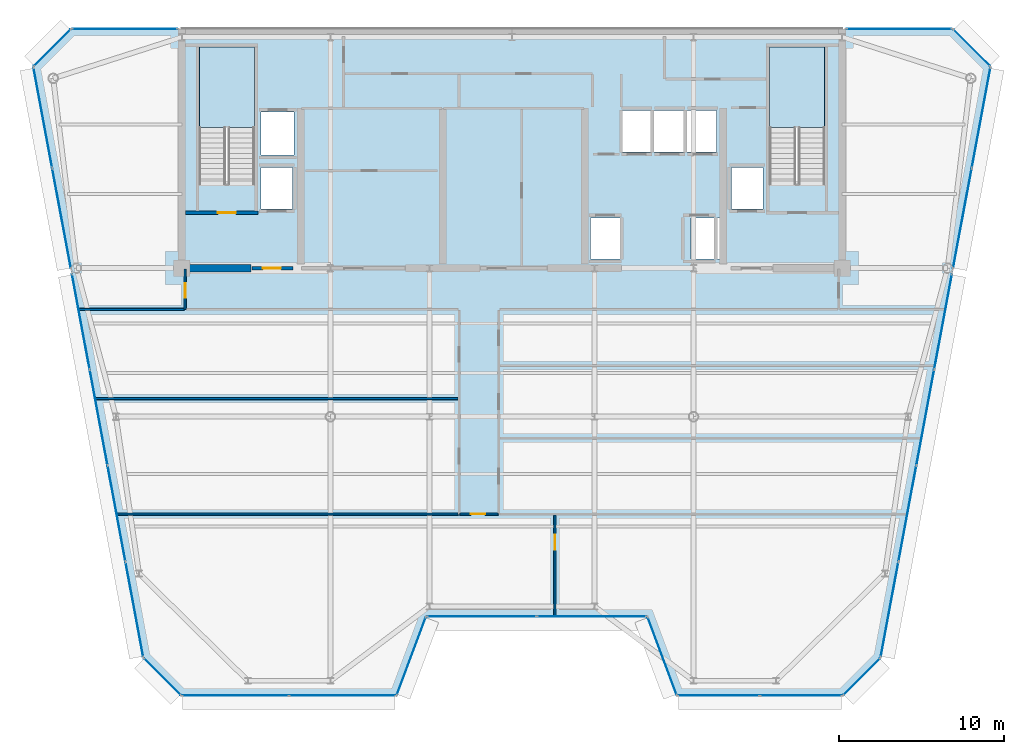
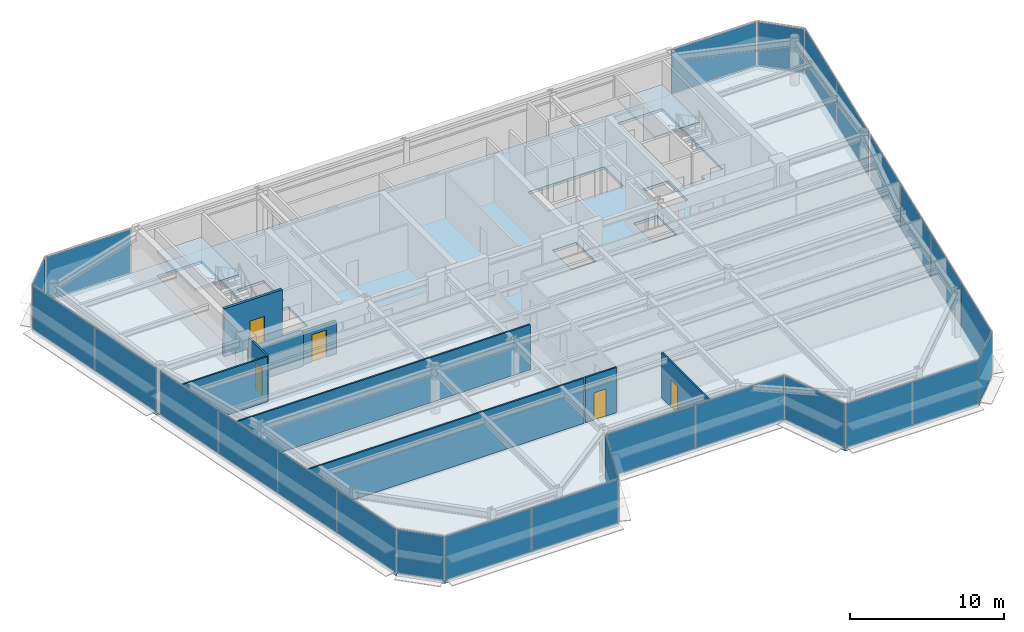
# One storey, part 9 of 18: 26 plates, 9 walls, 5 doors, 3 slabs, 5 openings, 17 elements without a shape of their own.
"""IFC4 building model written with IfcOpenShell, lengths in metres."""

from ifc_helpers import new_model, si_unit, direction, frame, frame_2d, origin, origin_2d, place, context, subcontext, project, spatial, polyline, rectangle, outline, extrude, source, transform, mapped, material, layer, layer_set, type_object, element, fill, aggregate, save


model = new_model("IFC4")

# Units and contexts
model_context = context("Model", 3, precision=1e-05, world=origin(), true_north=direction((0.0, 1.0)))
body_context = subcontext(model_context, "Body", "Model", "MODEL_VIEW")
ifc_project = project(units=[si_unit("LENGTHUNIT", "METRE"), si_unit("AREAUNIT", "SQUARE_METRE"), si_unit("VOLUMEUNIT", "CUBIC_METRE"), si_unit("PLANEANGLEUNIT", "RADIAN"), si_unit("MASSUNIT", "GRAM", prefix="KILO")], contexts=[model_context])

# Site, building, storey
site_placement = place(None, origin())
site = spatial("IfcSite", under=ifc_project, at=site_placement, CompositionType="ELEMENT")
building_placement = place(site_placement, origin())
building = spatial("IfcBuilding", under=site, at=building_placement, Name="Vaeldorn Concourse Tower", CompositionType="ELEMENT")
storey_placement = place(building_placement, frame((0.0, 0.0, 261.199951171875)))
storey = spatial("IfcBuildingStorey", under=building, at=storey_placement, Name="L67", CompositionType="ELEMENT", Elevation=261.199951171875)

# Stair, slab
ifc_material_1 = material(Name="Precast concrete C40/50", Category="concrete")
stair_type = type_object("IfcStairType", Name="STR-DOG-24x158", PredefinedType="HALF_TURN_STAIR", material=ifc_material_1)
stair_1_placement = place(storey_placement, origin())
stair_1 = element("IfcStair", 1, at=stair_1_placement, inside=storey, type_object=stair_type, Name="L67 West Core Exit Stair ST-1", PredefinedType="HALF_TURN_STAIR")
ifc_material_2 = material(Name="Concrete C40/50", Category="concrete")
ifc_layer_1 = layer(ifc_material_2, 0.199951171875)
ifc_layer_set_1 = layer_set([ifc_layer_1], Name="Concrete C40/50")
slab_type_1 = type_object("IfcSlabType", Name="SL-STAIR-LANDING", PredefinedType="LANDING", material=ifc_layer_set_1)
slab_1_placement = place(storey_placement, frame((0.0, 0.0, 1.699951171875)))
slab_1 = element("IfcSlab", 2, at=slab_1_placement, type_object=slab_type_1, Name="ST-1 landing 1", PredefinedType="LANDING", context=body_context, shape_type="SweptSolid", body=[
    extrude(outline(polyline([(18.39990234375, 45.010009765625), (18.39990234375, 49.89990234375), (15.050048828125, 49.89990234375), (15.050048828125, 45.010009765625), (18.39990234375, 45.010009765625)])), origin(), (0.0, 0.0, 1.0), 0.2001953125),
])
aggregate(stair_1, [slab_1])

stair_2_placement = place(storey_placement, origin())
stair_2 = element("IfcStair", 3, at=stair_2_placement, inside=storey, type_object=stair_type, Name="L67 East Core Exit Stair ST-2", PredefinedType="HALF_TURN_STAIR")
slab_2_placement = place(storey_placement, frame((0.0, 0.0, 1.699951171875)))
slab_2 = element("IfcSlab", 4, at=slab_2_placement, type_object=slab_type_1, Name="ST-2 landing 1", PredefinedType="LANDING", context=body_context, shape_type="SweptSolid", body=[
    extrude(outline(polyline([(52.949951171875, 45.010009765625), (52.949951171875, 49.89990234375), (49.60009765625, 49.89990234375), (49.60009765625, 45.010009765625), (52.949951171875, 45.010009765625)])), origin(), (0.0, 0.0, 1.0), 0.2001953125),
])
aggregate(stair_2, [slab_2])

# Slab
ifc_layer_2 = layer(ifc_material_2, 0.219970703125)
ifc_layer_set_2 = layer_set([ifc_layer_2], Name="Concrete C40/50")
slab_type_2 = type_object("IfcSlabType", Name="SL-TYP-220", PredefinedType="FLOOR", material=ifc_layer_set_2)
slab_3_placement = place(storey_placement, frame((0.0, 0.0, -0.219970703125)))
element("IfcSlab", 5, at=slab_3_placement, inside=storey, type_object=slab_type_2, Name="Structural Floor Slab L67", PredefinedType="FLOOR", context=body_context, shape_type="SweptSolid", body=[
    extrude(outline(polyline([(13.966064453125, 10.60009765625), (27.0, 10.60009765625), (28.800048828125, 15.39990234375), (42.199951171875, 15.39990234375), (44.0, 10.60009765625), (54.033935546875, 10.60009765625), (56.333984375, 12.89990234375), (63.0, 48.699951171875), (60.699951171875, 51.0), (7.300048828125, 51.0), (5.0, 48.699951171875), (11.666015625, 12.89990234375), (13.966064453125, 10.60009765625)]), holes=[polyline([(18.39990234375, 42.0), (18.39990234375, 49.89990234375), (15.050048828125, 49.89990234375), (15.050048828125, 41.60009765625), (16.800048828125, 41.60009765625), (16.800048828125, 42.0), (18.39990234375, 42.0)]), polyline([(52.949951171875, 42.0), (52.949951171875, 49.89990234375), (49.60009765625, 49.89990234375), (49.60009765625, 41.60009765625), (51.35009765625, 41.60009765625), (51.35009765625, 42.0), (52.949951171875, 42.0)]), polyline([(38.75, 37.050048828125), (40.550048828125, 37.050048828125), (40.550048828125, 39.550048828125), (38.75, 39.550048828125), (38.75, 37.050048828125)]), polyline([(44.85009765625, 37.050048828125), (46.64990234375, 37.050048828125), (46.64990234375, 39.550048828125), (44.85009765625, 39.550048828125), (44.85009765625, 37.050048828125)]), polyline([(40.699951171875, 43.550048828125), (46.39990234375, 43.550048828125), (46.39990234375, 46.050048828125), (40.699951171875, 46.050048828125), (40.699951171875, 43.550048828125)]), polyline([(18.800048828125, 43.35009765625), (20.800048828125, 43.35009765625), (20.800048828125, 45.949951171875), (18.800048828125, 45.949951171875), (18.800048828125, 43.35009765625)]), polyline([(18.800048828125, 40.10009765625), (20.699951171875, 40.10009765625), (20.699951171875, 42.60009765625), (18.800048828125, 42.60009765625), (18.800048828125, 40.10009765625)]), polyline([(47.300048828125, 40.10009765625), (49.199951171875, 40.10009765625), (49.199951171875, 42.60009765625), (47.300048828125, 42.60009765625), (47.300048828125, 40.10009765625)])]), origin(), (0.0, 0.0, 1.0), 0.219970703125),
])

# Curtain wall, plate
ifc_material_3 = material(Name="Anodised Bronze Aluminium", Category="aluminium")
ifc_layer_3 = layer(ifc_material_3, 0.179931640625)
ifc_layer_set_3 = layer_set([ifc_layer_3], Name="Anodised Bronze Aluminium")
curtain_wall_type = type_object("IfcCurtainWallType", Name="CW-SYS-05", PredefinedType="NOTDEFINED", material=ifc_layer_set_3)
curtain_wall_1_placement = place(storey_placement, origin())
curtain_wall_1 = element("IfcCurtainWall", 6, at=curtain_wall_1_placement, inside=storey, type_object=curtain_wall_type, Name="Unitised Curtain Wall CW-L67-E02-1", PredefinedType="NOTDEFINED")
ifc_material_4 = material(Name="Bronze Tinted Low-E Insulated Glass", Category="glass")
ifc_layer_4 = layer(ifc_material_4, 0.031982421875)
ifc_layer_set_4 = layer_set([ifc_layer_4], Name="Bronze Tinted Low-E Insulated Glass")
plate_type = type_object("IfcPlateType", Name="CWP-VISION-32", PredefinedType="CURTAIN_PANEL", material=ifc_layer_set_4)
shared_shape_1 = source(origin(), body_context, "Body", "SweptSolid", [
    extrude(rectangle(XDim=4.996337890625, YDim=0.031982421875, at=origin_2d()), origin(), (0.0, 0.0, 1.0), 3.449951171875),
])
plate_1_placement = place(storey_placement, frame((27.89990234375, 13.0, 0.06494140625), z_axis=(0.0, 0.0, 1.0), x_axis=(0.351123441595, 0.936329177566, 0.0)))
plate_1 = element("IfcPlate", 7, at=plate_1_placement, type_object=plate_type, Name="CW-05 panel 1.1", PredefinedType="CURTAIN_PANEL", context=body_context, shape_type="MappedRepresentation", body=[
    mapped(shared_shape_1, transform((0.0, 0.0, 0.0), scale=1.0)),
])
aggregate(curtain_wall_1, [plate_1])

curtain_wall_2_placement = place(storey_placement, origin())
curtain_wall_2 = element("IfcCurtainWall", 8, at=curtain_wall_2_placement, inside=storey, type_object=curtain_wall_type, Name="Unitised Curtain Wall CW-L67-E04-1", PredefinedType="NOTDEFINED")
plate_2_placement = place(storey_placement, frame((43.10009765625, 13.0, 0.06494140625), z_axis=(0.0, 0.0, 1.0), x_axis=(0.351123441595, -0.936329177566, 0.0)))
plate_2 = element("IfcPlate", 9, at=plate_2_placement, type_object=plate_type, Name="CW-05 panel 1.1", PredefinedType="CURTAIN_PANEL", context=body_context, shape_type="MappedRepresentation", body=[
    mapped(shared_shape_1, transform((0.0, 0.0, 0.0), scale=1.0)),
])
aggregate(curtain_wall_2, [plate_2])

# Curtain wall, plates
curtain_wall_3_placement = place(storey_placement, origin())
curtain_wall_3 = element("IfcCurtainWall", 10, at=curtain_wall_3_placement, inside=storey, type_object=curtain_wall_type, Name="Unitised Curtain Wall CW-L67-E03-1", PredefinedType="NOTDEFINED")
shared_shape_2 = source(origin(), body_context, "Body", "SweptSolid", [
    extrude(rectangle(XDim=6.6025390625, YDim=0.031982421875, at=origin_2d()), origin(), (0.0, 0.0, 1.0), 3.449951171875),
])
plate_3_placement = place(storey_placement, frame((32.166259765625, 15.39990234375, 0.06494140625), z_axis=(0.0, 0.0, 1.0), x_axis=(1.0, 0.0, 0.0)))
plate_3 = element("IfcPlate", 11, at=plate_3_placement, type_object=plate_type, Name="CW-05 panel 1.1", PredefinedType="CURTAIN_PANEL", context=body_context, shape_type="MappedRepresentation", body=[
    mapped(shared_shape_2, transform((0.0, 0.0, 0.0), scale=1.0)),
])
plate_4_placement = place(storey_placement, frame((38.833740234375, 15.39990234375, 0.06494140625), z_axis=(0.0, 0.0, 1.0), x_axis=(1.0, 0.0, 0.0)))
plate_4 = element("IfcPlate", 12, at=plate_4_placement, type_object=plate_type, Name="CW-05 panel 2.1", PredefinedType="CURTAIN_PANEL", context=body_context, shape_type="MappedRepresentation", body=[
    mapped(shared_shape_2, transform((0.0, 0.0, 0.0), scale=1.0)),
])
aggregate(curtain_wall_3, [plate_3, plate_4])

# Curtain wall, plate
curtain_wall_4_placement = place(storey_placement, origin())
curtain_wall_4 = element("IfcCurtainWall", 13, at=curtain_wall_4_placement, inside=storey, type_object=curtain_wall_type, Name="Unitised Curtain Wall CW-L67-E06-1", PredefinedType="NOTDEFINED")
shared_shape_3 = source(origin(), body_context, "Body", "SweptSolid", [
    extrude(rectangle(XDim=3.122802734375, YDim=0.031982421875, at=origin_2d()), origin(), (0.0, 0.0, 1.0), 3.449951171875),
])
plate_5_placement = place(storey_placement, frame((55.18408203125, 11.75, 0.06494140625), z_axis=(0.0, 0.0, 1.0), x_axis=(0.707106781187, 0.707106781187, 0.0)))
plate_5 = element("IfcPlate", 14, at=plate_5_placement, type_object=plate_type, Name="CW-05 panel 1.1", PredefinedType="CURTAIN_PANEL", context=body_context, shape_type="MappedRepresentation", body=[
    mapped(shared_shape_3, transform((0.0, 0.0, 0.0), scale=1.0)),
])
aggregate(curtain_wall_4, [plate_5])

curtain_wall_5_placement = place(storey_placement, origin())
curtain_wall_5 = element("IfcCurtainWall", 15, at=curtain_wall_5_placement, inside=storey, type_object=curtain_wall_type, Name="Unitised Curtain Wall CW-L67-E08-1", PredefinedType="NOTDEFINED")
plate_6_placement = place(storey_placement, frame((61.85009765625, 49.85009765625, 0.06494140625), z_axis=(0.0, 0.0, 1.0), x_axis=(-0.707106781187, 0.707106781187, 0.0)))
plate_6 = element("IfcPlate", 16, at=plate_6_placement, type_object=plate_type, Name="CW-05 panel 1.1", PredefinedType="CURTAIN_PANEL", context=body_context, shape_type="MappedRepresentation", body=[
    mapped(shared_shape_3, transform((0.0, 0.0, 0.0), scale=1.0)),
])
aggregate(curtain_wall_5, [plate_6])

curtain_wall_6_placement = place(storey_placement, origin())
curtain_wall_6 = element("IfcCurtainWall", 17, at=curtain_wall_6_placement, inside=storey, type_object=curtain_wall_type, Name="Unitised Curtain Wall CW-L67-E10-1", PredefinedType="NOTDEFINED")
plate_7_placement = place(storey_placement, frame((6.14990234375, 49.85009765625, 0.06494140625), z_axis=(0.0, 0.0, 1.0), x_axis=(-0.707106781187, -0.707106781187, 0.0)))
plate_7 = element("IfcPlate", 18, at=plate_7_placement, type_object=plate_type, Name="CW-05 panel 1.1", PredefinedType="CURTAIN_PANEL", context=body_context, shape_type="MappedRepresentation", body=[
    mapped(shared_shape_3, transform((0.0, 0.0, 0.0), scale=1.0)),
])
aggregate(curtain_wall_6, [plate_7])

curtain_wall_7_placement = place(storey_placement, origin())
curtain_wall_7 = element("IfcCurtainWall", 19, at=curtain_wall_7_placement, inside=storey, type_object=curtain_wall_type, Name="Unitised Curtain Wall CW-L67-E12-1", PredefinedType="NOTDEFINED")
plate_8_placement = place(storey_placement, frame((12.81591796875, 11.75, 0.06494140625), z_axis=(0.0, 0.0, 1.0), x_axis=(0.707106781187, -0.707106781187, 0.0)))
plate_8 = element("IfcPlate", 20, at=plate_8_placement, type_object=plate_type, Name="CW-05 panel 1.1", PredefinedType="CURTAIN_PANEL", context=body_context, shape_type="MappedRepresentation", body=[
    mapped(shared_shape_3, transform((0.0, 0.0, 0.0), scale=1.0)),
])
aggregate(curtain_wall_7, [plate_8])

# Curtain wall, plates
curtain_wall_8_placement = place(storey_placement, origin())
curtain_wall_8 = element("IfcCurtainWall", 21, at=curtain_wall_8_placement, inside=storey, type_object=curtain_wall_type, Name="Unitised Curtain Wall CW-L67-E07-1", PredefinedType="NOTDEFINED")
shared_shape_4 = source(origin(), body_context, "Body", "SweptSolid", [
    extrude(rectangle(XDim=5.82373046875, YDim=0.031982421875, at=origin_2d()), origin(), (0.0, 0.0, 1.0), 3.449951171875),
])
plate_9_placement = place(storey_placement, frame((56.87890625, 15.82666015625, 0.06494140625), z_axis=(0.0, 0.0, 1.0), x_axis=(0.18305510739, 0.983102653673, 0.0)))
plate_9 = element("IfcPlate", 22, at=plate_9_placement, type_object=plate_type, Name="CW-05 panel 1.1", PredefinedType="CURTAIN_PANEL", context=body_context, shape_type="MappedRepresentation", body=[
    mapped(shared_shape_4, transform((0.0, 0.0, 0.0), scale=1.0)),
])
plate_10_placement = place(storey_placement, frame((60.124755859375, 33.25830078125, 0.06494140625), z_axis=(0.0, 0.0, 1.0), x_axis=(0.18305510739, 0.983102653673, 0.0)))
plate_10 = element("IfcPlate", 23, at=plate_10_placement, type_object=plate_type, Name="CW-05 panel 4.1", PredefinedType="CURTAIN_PANEL", context=body_context, shape_type="MappedRepresentation", body=[
    mapped(shared_shape_4, transform((0.0, 0.0, 0.0), scale=1.0)),
])

curtain_wall_9_placement = place(storey_placement, origin())
curtain_wall_9 = element("IfcCurtainWall", 24, at=curtain_wall_9_placement, inside=storey, type_object=curtain_wall_type, Name="Unitised Curtain Wall CW-L67-E11-2", PredefinedType="NOTDEFINED")
plate_11_placement = place(storey_placement, frame((7.875244140625, 33.25830078125, 0.06494140625), z_axis=(0.0, 0.0, 1.0), x_axis=(0.18305510739, -0.983102653673, 0.0)))
plate_11 = element("IfcPlate", 25, at=plate_11_placement, type_object=plate_type, Name="CW-05 panel 1.1", PredefinedType="CURTAIN_PANEL", context=body_context, shape_type="MappedRepresentation", body=[
    mapped(shared_shape_4, transform((0.0, 0.0, 0.0), scale=1.0)),
])
plate_12_placement = place(storey_placement, frame((11.12109375, 15.82666015625, 0.06494140625), z_axis=(0.0, 0.0, 1.0), x_axis=(0.18305510739, -0.983102653673, 0.0)))
plate_12 = element("IfcPlate", 26, at=plate_12_placement, type_object=plate_type, Name="CW-05 panel 4.1", PredefinedType="CURTAIN_PANEL", context=body_context, shape_type="MappedRepresentation", body=[
    mapped(shared_shape_4, transform((0.0, 0.0, 0.0), scale=1.0)),
])

# Plate
shared_shape_5 = source(origin(), body_context, "Body", "SweptSolid", [
    extrude(rectangle(XDim=5.856201171875, YDim=0.031982421875, at=origin_2d()), origin(), (0.0, 0.0, 1.0), 3.449951171875),
])
plate_13_placement = place(storey_placement, frame((57.9599609375, 21.6318359375, 0.06494140625), z_axis=(0.0, 0.0, 1.0), x_axis=(0.18305510739, 0.983102653673, 0.0)))
plate_13 = element("IfcPlate", 27, at=plate_13_placement, type_object=plate_type, Name="CW-05 panel 2.1", PredefinedType="CURTAIN_PANEL", context=body_context, shape_type="MappedRepresentation", body=[
    mapped(shared_shape_5, transform((0.0, 0.0, 0.0), scale=1.0)),
])

plate_14_placement = place(storey_placement, frame((59.043701171875, 27.453125, 0.06494140625), z_axis=(0.0, 0.0, 1.0), x_axis=(0.18305510739, 0.983102653673, 0.0)))
plate_14 = element("IfcPlate", 28, at=plate_14_placement, type_object=plate_type, Name="CW-05 panel 3.1", PredefinedType="CURTAIN_PANEL", context=body_context, shape_type="MappedRepresentation", body=[
    mapped(shared_shape_5, transform((0.0, 0.0, 0.0), scale=1.0)),
])

aggregate(curtain_wall_8, [plate_9, plate_13, plate_14, plate_10])

plate_15_placement = place(storey_placement, frame((8.956298828125, 27.453125, 0.06494140625), z_axis=(0.0, 0.0, 1.0), x_axis=(0.18305510739, -0.983102653673, 0.0)))
plate_15 = element("IfcPlate", 29, at=plate_15_placement, type_object=plate_type, Name="CW-05 panel 2.1", PredefinedType="CURTAIN_PANEL", context=body_context, shape_type="MappedRepresentation", body=[
    mapped(shared_shape_5, transform((0.0, 0.0, 0.0), scale=1.0)),
])

plate_16_placement = place(storey_placement, frame((10.0400390625, 21.6318359375, 0.06494140625), z_axis=(0.0, 0.0, 1.0), x_axis=(0.18305510739, -0.983102653673, 0.0)))
plate_16 = element("IfcPlate", 30, at=plate_16_placement, type_object=plate_type, Name="CW-05 panel 3.1", PredefinedType="CURTAIN_PANEL", context=body_context, shape_type="MappedRepresentation", body=[
    mapped(shared_shape_5, transform((0.0, 0.0, 0.0), scale=1.0)),
])

aggregate(curtain_wall_9, [plate_11, plate_15, plate_16, plate_12])

# Curtain wall, plates
curtain_wall_10_placement = place(storey_placement, origin())
curtain_wall_10 = element("IfcCurtainWall", 31, at=curtain_wall_10_placement, inside=storey, type_object=curtain_wall_type, Name="Unitised Curtain Wall CW-L67-E07-2", PredefinedType="NOTDEFINED")
shared_shape_6 = source(origin(), body_context, "Body", "SweptSolid", [
    extrude(rectangle(XDim=6.143798828125, YDim=0.031982421875, at=origin_2d()), origin(), (0.0, 0.0, 1.0), 3.449951171875),
])
plate_17_placement = place(storey_placement, frame((61.289306640625, 39.51220703125, 0.06494140625), z_axis=(0.0, 0.0, 1.0), x_axis=(0.183054493257, 0.983102768025, 0.0)))
plate_17 = element("IfcPlate", 32, at=plate_17_placement, type_object=plate_type, Name="CW-05 panel 1.1", PredefinedType="CURTAIN_PANEL", context=body_context, shape_type="MappedRepresentation", body=[
    mapped(shared_shape_6, transform((0.0, 0.0, 0.0), scale=1.0)),
])
plate_18_placement = place(storey_placement, frame((62.42578125, 45.6162109375, 0.06494140625), z_axis=(0.0, 0.0, 1.0), x_axis=(0.183054493257, 0.983102768025, 0.0)))
plate_18 = element("IfcPlate", 33, at=plate_18_placement, type_object=plate_type, Name="CW-05 panel 2.1", PredefinedType="CURTAIN_PANEL", context=body_context, shape_type="MappedRepresentation", body=[
    mapped(shared_shape_6, transform((0.0, 0.0, 0.0), scale=1.0)),
])
aggregate(curtain_wall_10, [plate_17, plate_18])

curtain_wall_11_placement = place(storey_placement, origin())
curtain_wall_11 = element("IfcCurtainWall", 34, at=curtain_wall_11_placement, inside=storey, type_object=curtain_wall_type, Name="Unitised Curtain Wall CW-L67-E11-1", PredefinedType="NOTDEFINED")
plate_19_placement = place(storey_placement, frame((5.57421875, 45.6162109375, 0.06494140625), z_axis=(0.0, 0.0, 1.0), x_axis=(0.183054493257, -0.983102768025, 0.0)))
plate_19 = element("IfcPlate", 35, at=plate_19_placement, type_object=plate_type, Name="CW-05 panel 1.1", PredefinedType="CURTAIN_PANEL", context=body_context, shape_type="MappedRepresentation", body=[
    mapped(shared_shape_6, transform((0.0, 0.0, 0.0), scale=1.0)),
])
plate_20_placement = place(storey_placement, frame((6.710693359375, 39.51220703125, 0.06494140625), z_axis=(0.0, 0.0, 1.0), x_axis=(0.183054493257, -0.983102768025, 0.0)))
plate_20 = element("IfcPlate", 36, at=plate_20_placement, type_object=plate_type, Name="CW-05 panel 2.1", PredefinedType="CURTAIN_PANEL", context=body_context, shape_type="MappedRepresentation", body=[
    mapped(shared_shape_6, transform((0.0, 0.0, 0.0), scale=1.0)),
])
aggregate(curtain_wall_11, [plate_19, plate_20])

curtain_wall_12_placement = place(storey_placement, origin())
curtain_wall_12 = element("IfcCurtainWall", 37, at=curtain_wall_12_placement, inside=storey, type_object=curtain_wall_type, Name="Unitised Curtain Wall CW-L67-E01-1", PredefinedType="NOTDEFINED")
shared_shape_7 = source(origin(), body_context, "Body", "SweptSolid", [
    extrude(rectangle(XDim=6.41943359375, YDim=0.031982421875, at=origin_2d()), origin(), (0.0, 0.0, 1.0), 3.449951171875),
])
plate_21_placement = place(storey_placement, frame((17.24072265625, 10.60009765625, 0.06494140625), z_axis=(0.0, 0.0, 1.0), x_axis=(1.0, 0.0, 0.0)))
plate_21 = element("IfcPlate", 38, at=plate_21_placement, type_object=plate_type, Name="CW-05 panel 1.1", PredefinedType="CURTAIN_PANEL", context=body_context, shape_type="MappedRepresentation", body=[
    mapped(shared_shape_7, transform((0.0, 0.0, 0.0), scale=1.0)),
])
plate_22_placement = place(storey_placement, frame((23.725341796875, 10.60009765625, 0.06494140625), z_axis=(0.0, 0.0, 1.0), x_axis=(1.0, 0.0, 0.0)))
plate_22 = element("IfcPlate", 39, at=plate_22_placement, type_object=plate_type, Name="CW-05 panel 2.1", PredefinedType="CURTAIN_PANEL", context=body_context, shape_type="MappedRepresentation", body=[
    mapped(shared_shape_7, transform((0.0, 0.0, 0.0), scale=1.0)),
])
aggregate(curtain_wall_12, [plate_21, plate_22])

curtain_wall_13_placement = place(storey_placement, origin())
curtain_wall_13 = element("IfcCurtainWall", 40, at=curtain_wall_13_placement, inside=storey, type_object=curtain_wall_type, Name="Unitised Curtain Wall CW-L67-E05-1", PredefinedType="NOTDEFINED")
shared_shape_8 = source(origin(), body_context, "Body", "SweptSolid", [
    extrude(rectangle(XDim=4.91943359375, YDim=0.031982421875, at=origin_2d()), origin(), (0.0, 0.0, 1.0), 3.449951171875),
])
plate_23_placement = place(storey_placement, frame((46.524658203125, 10.60009765625, 0.06494140625), z_axis=(0.0, 0.0, 1.0), x_axis=(1.0, 0.0, 0.0)))
plate_23 = element("IfcPlate", 41, at=plate_23_placement, type_object=plate_type, Name="CW-05 panel 1.1", PredefinedType="CURTAIN_PANEL", context=body_context, shape_type="MappedRepresentation", body=[
    mapped(shared_shape_8, transform((0.0, 0.0, 0.0), scale=1.0)),
])
plate_24_placement = place(storey_placement, frame((51.50927734375, 10.60009765625, 0.06494140625), z_axis=(0.0, 0.0, 1.0), x_axis=(1.0, 0.0, 0.0)))
plate_24 = element("IfcPlate", 42, at=plate_24_placement, type_object=plate_type, Name="CW-05 panel 2.1", PredefinedType="CURTAIN_PANEL", context=body_context, shape_type="MappedRepresentation", body=[
    mapped(shared_shape_8, transform((0.0, 0.0, 0.0), scale=1.0)),
])
aggregate(curtain_wall_13, [plate_23, plate_24])

# Curtain wall, plate
curtain_wall_14_placement = place(storey_placement, origin())
curtain_wall_14 = element("IfcCurtainWall", 43, at=curtain_wall_14_placement, inside=storey, type_object=curtain_wall_type, Name="Unitised Curtain Wall CW-L67-E09-1", PredefinedType="NOTDEFINED")
shared_shape_9 = source(origin(), body_context, "Body", "SweptSolid", [
    extrude(rectangle(XDim=6.35009765625, YDim=0.031982421875, at=origin_2d()), origin(), (0.0, 0.0, 1.0), 3.449951171875),
])
plate_25_placement = place(storey_placement, frame((57.4599609375, 51.0, 0.06494140625), z_axis=(0.0, 0.0, 1.0), x_axis=(-1.0, 0.0, 0.0)))
plate_25 = element("IfcPlate", 44, at=plate_25_placement, type_object=plate_type, Name="CW-05 panel 1.1", PredefinedType="CURTAIN_PANEL", context=body_context, shape_type="MappedRepresentation", body=[
    mapped(shared_shape_9, transform((0.0, 0.0, 0.0), scale=1.0)),
])
aggregate(curtain_wall_14, [plate_25])

curtain_wall_15_placement = place(storey_placement, origin())
curtain_wall_15 = element("IfcCurtainWall", 45, at=curtain_wall_15_placement, inside=storey, type_object=curtain_wall_type, Name="Unitised Curtain Wall CW-L67-E09-2", PredefinedType="NOTDEFINED")
plate_26_placement = place(storey_placement, frame((10.5400390625, 51.0, 0.06494140625), z_axis=(0.0, 0.0, 1.0), x_axis=(-1.0, 0.0, 0.0)))
plate_26 = element("IfcPlate", 46, at=plate_26_placement, type_object=plate_type, Name="CW-05 panel 1.1", PredefinedType="CURTAIN_PANEL", context=body_context, shape_type="MappedRepresentation", body=[
    mapped(shared_shape_9, transform((0.0, 0.0, 0.0), scale=1.0)),
])
aggregate(curtain_wall_15, [plate_26])

# Wall
ifc_material_5 = material(Name="Concrete C50/60", Category="concrete")
ifc_layer_5 = layer(ifc_material_5, 0.449951171875)
ifc_layer_set_5 = layer_set([ifc_layer_5], Name="Concrete C50/60")
wall_type_1 = type_object("IfcWallType", Name="WL-CORE-450", PredefinedType="SHEAR", material=ifc_layer_set_5)
wall_1_placement = place(storey_placement, frame((14.2451171875, 36.5, 0.0), z_axis=(0.0, 0.0, 1.0), x_axis=(1.0, 0.0, 0.0)))
element("IfcWall", 47, at=wall_1_placement, inside=storey, type_object=wall_type_1, Name="Rear Core Shear Wall L67 S1", PredefinedType="SHEAR", context=body_context, shape_type="SweptSolid", body=[
    extrude(rectangle(XDim=3.954833984375, YDim=0.449951171875, at=frame_2d((1.9775390625, 0.0))), origin(), (0.0, 0.0, 1.0), 2.580078125),
])

# Wall, opening, door
ifc_material_6 = material(Name="Gypsum Board Partition", Category="gypsum")
ifc_layer_6 = layer(ifc_material_6, 0.1201171875)
ifc_layer_set_6 = layer_set([ifc_layer_6], Name="Gypsum Board Partition")
wall_type_2 = type_object("IfcWallType", Name="WL-PART-120", PredefinedType="PARTITIONING", material=ifc_layer_set_6)
wall_2_placement = place(storey_placement, frame((14.199951171875, 34.0, 0.0), z_axis=(0.0, 0.0, 1.0), x_axis=(0.0, 1.0, 0.0)))
wall_2 = element("IfcWall", 48, at=wall_2_placement, inside=storey, type_object=wall_type_2, Name="Interior Wall PW-L67-C3W", PredefinedType="PARTITIONING", context=body_context, shape_type="SweptSolid", body=[
    extrude(rectangle(XDim=2.43994140625, YDim=0.1201171875, at=frame_2d((1.219970703125, 0.0))), origin(), (0.0, 0.0, 1.0), 3.580078125),
])
opening_1_placement = place(wall_2_placement, frame((0.699951171875, 0.0, 0.0)))
opening_1 = element("IfcOpeningElement", 49, at=opening_1_placement, cuts=wall_2, Name="Opening D-03", PredefinedType="OPENING", context=body_context, shape_type="SweptSolid", body=[
    extrude(rectangle(XDim=0.89990234375, YDim=2.14990234375, at=frame_2d((0.449951171875, 1.074951171875))), frame((0.0, 0.070068359375, 0.0), z_axis=(0.0, -1.0, 0.0), x_axis=(1.0, 0.0, 0.0)), (0.0, 0.0, 1.0), 0.14013671875),
])
ifc_material_7 = material(Name="Acoustic Bronze-Framed Glass Door", Category="glass")
door_type_1 = type_object("IfcDoorType", Name="DR-INT-900", OperationType="NOTDEFINED", PredefinedType="DOOR", material=ifc_material_7)
shared_shape_10 = source(origin(), body_context, "Body", "SweptSolid", [
    extrude(rectangle(XDim=0.89990234375, YDim=2.14990234375, at=frame_2d((0.449951171875, 1.074951171875))), frame((0.0, 0.02490234375, 0.0), z_axis=(0.0, -1.0, 0.0), x_axis=(1.0, 0.0, 0.0)), (0.0, 0.0, 1.0), 0.050048828125),
])
door_1_placement = place(opening_1_placement, origin())
door_1 = element("IfcDoor", 50, at=door_1_placement, inside=storey, type_object=door_type_1, Name="Interior Door DR-L67-Z3NW", OperationType="SINGLE_SWING_LEFT", OverallHeight=2.14990234375, OverallWidth=0.89990234375, PredefinedType="DOOR", context=body_context, shape_type="MappedRepresentation", body=[
    mapped(shared_shape_10, transform((0.0, 0.0, 0.0), scale=1.0)),
])
fill(opening_1, door_1)

wall_3_placement = place(storey_placement, frame((30.840087890625, 21.60009765625, 0.0), z_axis=(0.0, 0.0, 1.0), x_axis=(1.0, 0.0, 0.0)))
wall_3 = element("IfcWall", 51, at=wall_3_placement, inside=storey, type_object=wall_type_2, Name="Interior Wall PW-L67-CSPS", PredefinedType="PARTITIONING", context=body_context, shape_type="SweptSolid", body=[
    extrude(rectangle(XDim=2.31982421875, YDim=0.1201171875, at=frame_2d((1.159912109375, 0.0))), origin(), (0.0, 0.0, 1.0), 3.580078125),
])
opening_2_placement = place(wall_3_placement, frame((0.64990234375, 0.0, 0.0)))
opening_2 = element("IfcOpeningElement", 52, at=opening_2_placement, cuts=wall_3, Name="Opening D-03", PredefinedType="OPENING", context=body_context, shape_type="SweptSolid", body=[
    extrude(rectangle(XDim=0.89990234375, YDim=2.14990234375, at=frame_2d((0.449951171875, 1.074951171875))), frame((0.0, 0.070068359375, 0.0), z_axis=(0.0, -1.0, 0.0), x_axis=(1.0, 0.0, 0.0)), (0.0, 0.0, 1.0), 0.14013671875),
])
door_2_placement = place(opening_2_placement, origin())
door_2 = element("IfcDoor", 53, at=door_2_placement, inside=storey, type_object=door_type_1, Name="Interior Door DR-L67-Z3SM", OperationType="SINGLE_SWING_LEFT", OverallHeight=2.14990234375, OverallWidth=0.89990234375, PredefinedType="DOOR", context=body_context, shape_type="MappedRepresentation", body=[
    mapped(shared_shape_10, transform((0.0, 0.0, 0.0), scale=1.0)),
])
fill(opening_2, door_2)

# Walls
wall_4_placement = place(storey_placement, frame((7.777099609375, 34.0, 0.0), z_axis=(0.0, 0.0, 1.0), x_axis=(1.0, 0.0, 0.0)))
element("IfcWall", 54, at=wall_4_placement, inside=storey, type_object=wall_type_2, Name="Interior Wall PW-L67-Z3NWB", PredefinedType="PARTITIONING", context=body_context, shape_type="SweptSolid", body=[
    extrude(rectangle(XDim=6.36279296875, YDim=0.1201171875, at=frame_2d((3.181396484375, 0.0))), origin(), (0.0, 0.0, 1.0), 3.580078125),
])
wall_5_placement = place(storey_placement, frame((8.78271484375, 28.60009765625, 0.0), z_axis=(0.0, 0.0, 1.0), x_axis=(1.0, 0.0, 0.0)))
element("IfcWall", 55, at=wall_5_placement, inside=storey, type_object=wall_type_2, Name="Interior Wall PW-L67-Z3WY1", PredefinedType="PARTITIONING", context=body_context, shape_type="SweptSolid", body=[
    extrude(rectangle(XDim=21.957275390625, YDim=0.1201171875, at=frame_2d((10.978515625, 0.0))), origin(), (0.0, 0.0, 1.0), 3.580078125),
])
wall_6_placement = place(storey_placement, frame((10.086181640625, 21.60009765625, 0.0), z_axis=(0.0, 0.0, 1.0), x_axis=(1.0, 0.0, 0.0)))
element("IfcWall", 56, at=wall_6_placement, inside=storey, type_object=wall_type_2, Name="Interior Wall PW-L67-Z3SWL", PredefinedType="PARTITIONING", context=body_context, shape_type="SweptSolid", body=[
    extrude(rectangle(XDim=20.65380859375, YDim=0.1201171875, at=frame_2d((10.326904296875, 0.0))), origin(), (0.0, 0.0, 1.0), 3.580078125),
])

# Wall, opening, door
wall_7_placement = place(storey_placement, frame((36.60009765625, 15.43994140625, 0.0), z_axis=(0.0, 0.0, 1.0), x_axis=(0.0, 1.0, 0.0)))
wall_7 = element("IfcWall", 57, at=wall_7_placement, inside=storey, type_object=wall_type_2, Name="Interior Wall PW-L67-Z3SX1", PredefinedType="PARTITIONING", context=body_context, shape_type="SweptSolid", body=[
    extrude(rectangle(XDim=6.10009765625, YDim=0.1201171875, at=frame_2d((3.050048828125, 0.0))), origin(), (0.0, 0.0, 1.0), 3.580078125),
])
opening_3_placement = place(wall_7_placement, frame((4.0, 0.0, 0.0)))
opening_3 = element("IfcOpeningElement", 58, at=opening_3_placement, cuts=wall_7, Name="Opening D-03", PredefinedType="OPENING", context=body_context, shape_type="SweptSolid", body=[
    extrude(rectangle(XDim=0.89990234375, YDim=2.14990234375, at=frame_2d((0.449951171875, 1.074951171875))), frame((0.0, 0.070068359375, 0.0), z_axis=(0.0, -1.0, 0.0), x_axis=(1.0, 0.0, 0.0)), (0.0, 0.0, 1.0), 0.14013671875),
])
door_3_placement = place(opening_3_placement, origin())
door_3 = element("IfcDoor", 59, at=door_3_placement, inside=storey, type_object=door_type_1, Name="Interior Door DR-L67-Z3SX1", OperationType="SINGLE_SWING_RIGHT", OverallHeight=2.14990234375, OverallWidth=0.89990234375, PredefinedType="DOOR", context=body_context, shape_type="MappedRepresentation", body=[
    mapped(shared_shape_10, transform((0.0, 0.0, 0.0), scale=1.0)),
])
fill(opening_3, door_3)

ifc_layer_7 = layer(ifc_material_5, 0.199951171875)
ifc_layer_set_7 = layer_set([ifc_layer_7], Name="Concrete C50/60")
wall_type_3 = type_object("IfcWallType", Name="WL-SHAFT-200", PredefinedType="SOLIDWALL", material=ifc_layer_set_7)
wall_8_placement = place(storey_placement, frame((14.22509765625, 39.85009765625, 0.0), z_axis=(0.0, 0.0, 1.0), x_axis=(1.0, 0.0, 0.0)))
wall_8 = element("IfcWall", 60, at=wall_8_placement, inside=storey, type_object=wall_type_3, Name="Stair Shaft Wall CW-L67-ST-1-S", PredefinedType="SOLIDWALL", context=body_context, shape_type="SweptSolid", body=[
    extrude(rectangle(XDim=4.375, YDim=0.199951171875, at=frame_2d((2.1875, 0.0))), origin(), (0.0, 0.0, 1.0), 3.800048828125),
])
opening_4_placement = place(wall_8_placement, frame((1.949951171875, 0.0, 0.0)))
opening_4 = element("IfcOpeningElement", 61, at=opening_4_placement, cuts=wall_8, Name="Opening D-01", PredefinedType="OPENING", context=body_context, shape_type="SweptSolid", body=[
    extrude(rectangle(XDim=1.10009765625, YDim=2.14990234375, at=frame_2d((0.550048828125, 1.074951171875))), frame((0.0, 0.10986328125, 0.0), z_axis=(0.0, -1.0, 0.0), x_axis=(1.0, 0.0, 0.0)), (0.0, 0.0, 1.0), 0.219970703125),
])
ifc_material_8 = material(Name="Fire-Rated Timber and Steel Leaf", Category="steel")
door_type_2 = type_object("IfcDoorType", Name="DR-FD60-1100", OperationType="NOTDEFINED", PredefinedType="DOOR", material=ifc_material_8)
shared_shape_11 = source(origin(), body_context, "Body", "SweptSolid", [
    extrude(rectangle(XDim=1.10009765625, YDim=2.14990234375, at=frame_2d((0.550048828125, 1.074951171875))), frame((0.0, 0.02490234375, 0.0), z_axis=(0.0, -1.0, 0.0), x_axis=(1.0, 0.0, 0.0)), (0.0, 0.0, 1.0), 0.050048828125),
])
door_4_placement = place(opening_4_placement, origin())
door_4 = element("IfcDoor", 62, at=door_4_placement, inside=storey, type_object=door_type_2, Name="Interior Door DR-L67-ST-1", OperationType="SINGLE_SWING_LEFT", OverallHeight=2.14990234375, OverallWidth=1.10009765625, PredefinedType="DOOR", context=body_context, shape_type="MappedRepresentation", body=[
    mapped(shared_shape_11, transform((0.0, 0.0, 0.0), scale=1.0)),
])
fill(opening_4, door_4)

wall_9_placement = place(storey_placement, frame((18.25, 36.5, 0.0), z_axis=(0.0, 0.0, 1.0), x_axis=(1.0, 0.0, 0.0)))
wall_9 = element("IfcWall", 63, at=wall_9_placement, inside=storey, type_object=wall_type_3, Name="Interior Wall CW-L67-FF1S", PredefinedType="SOLIDWALL", context=body_context, shape_type="SweptSolid", body=[
    extrude(rectangle(XDim=2.469970703125, YDim=0.199951171875, at=frame_2d((1.23486328125, 0.0))), origin(), (0.0, 0.0, 1.0), 2.570068359375),
])
opening_5_placement = place(wall_9_placement, frame((0.64990234375, 0.0, 0.0)))
opening_5 = element("IfcOpeningElement", 64, at=opening_5_placement, cuts=wall_9, Name="Opening D-01", PredefinedType="OPENING", context=body_context, shape_type="SweptSolid", body=[
    extrude(rectangle(XDim=1.10009765625, YDim=2.14990234375, at=frame_2d((0.550048828125, 1.074951171875))), frame((0.0, 0.10986328125, 0.0), z_axis=(0.0, -1.0, 0.0), x_axis=(1.0, 0.0, 0.0)), (0.0, 0.0, 1.0), 0.219970703125),
])
door_5_placement = place(opening_5_placement, origin())
door_5 = element("IfcDoor", 65, at=door_5_placement, inside=storey, type_object=door_type_2, Name="Interior Door DR-L67-FF1E", OperationType="SINGLE_SWING_RIGHT", OverallHeight=2.14990234375, OverallWidth=1.10009765625, PredefinedType="DOOR", context=body_context, shape_type="MappedRepresentation", body=[
    mapped(shared_shape_11, transform((0.0, 0.0, 0.0), scale=1.0)),
])
fill(opening_5, door_5)

save(model, "model.ifc")
